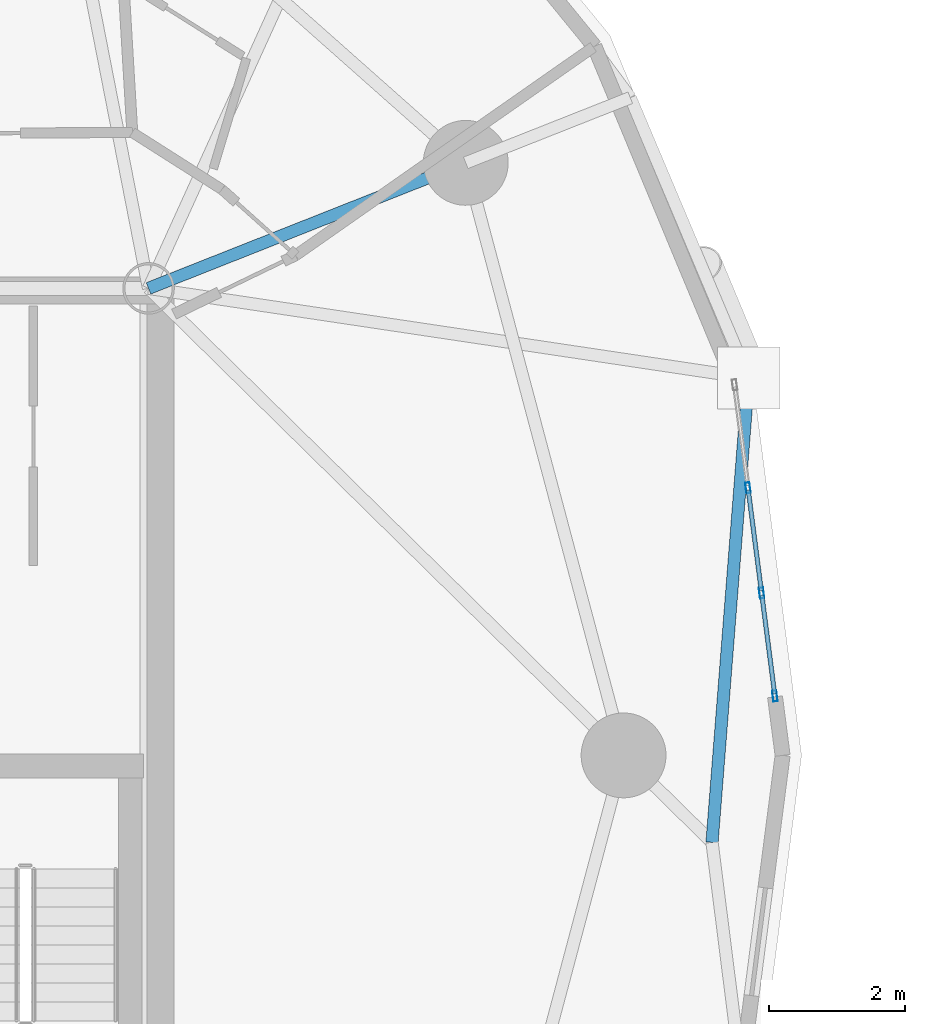
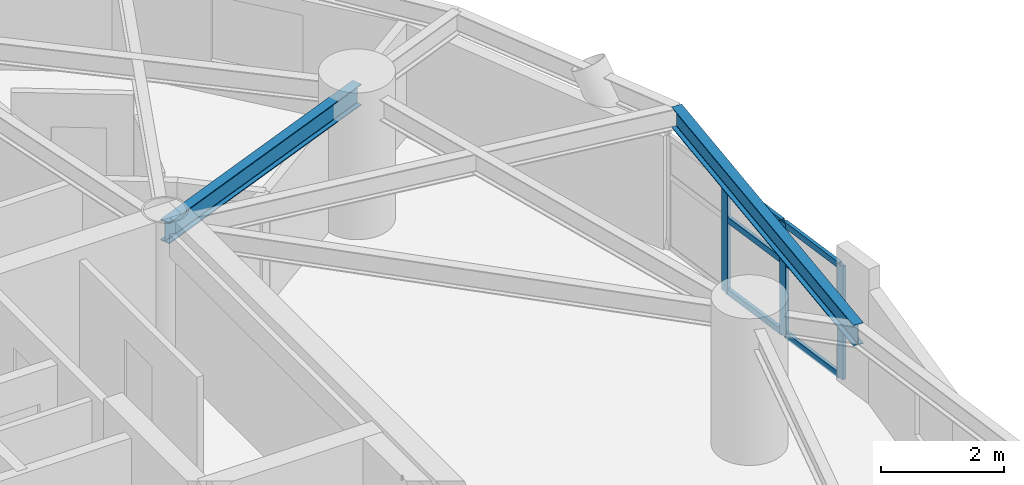
# One storey, part 3 of 19: 9 members, 2 beams, 1 element without a shape of its own.
"""IFC4 building model written with IfcOpenShell, lengths in metres."""

from ifc_helpers import new_model, si_unit, direction, frame, origin, origin_2d, place, context, subcontext, project, spatial, hollow_rectangle, i_section, extrude, material, layer, layer_set, material_profile, profile_set, type_object, element, aggregate, save


model = new_model("IFC4")

# Units and contexts
model_context = context("Model", 3, precision=1e-05, world=origin(), true_north=direction((0.0, 1.0)))
body_context = subcontext(model_context, "Body", "Model", "MODEL_VIEW")
ifc_project = project(units=[si_unit("LENGTHUNIT", "METRE"), si_unit("AREAUNIT", "SQUARE_METRE"), si_unit("VOLUMEUNIT", "CUBIC_METRE"), si_unit("PLANEANGLEUNIT", "RADIAN"), si_unit("MASSUNIT", "GRAM", prefix="KILO")], contexts=[model_context])

# Site, building, storey
site_placement = place(None, origin())
site = spatial("IfcSite", under=ifc_project, at=site_placement, CompositionType="ELEMENT")
building_placement = place(site_placement, origin())
building = spatial("IfcBuilding", under=site, at=building_placement, Name="Cununo Teusaquillo Station Towers", CompositionType="ELEMENT")
storey_placement = place(building_placement, frame((0.0, 0.0, 151.60009765625)))
storey = spatial("IfcBuildingStorey", under=building, at=storey_placement, Name="L47", CompositionType="ELEMENT", Elevation=151.60009765625)

# Beams
ifc_material_1 = material(Name="Steel ASTM A572 Grade 50", Category="steel")
ifc_material_profile_1 = material_profile(ifc_material_1, i_section(OverallWidth=0.180908203125, OverallDepth=0.4169921875, WebThickness=0.010986328125, FlangeThickness=0.018310546875, FilletRadius=0.012939453125, at=origin_2d()), Name="W16X57")
ifc_profile_set_1 = profile_set([ifc_material_profile_1], Name="Steel ASTM A572 Grade 50")
beam_type_1 = type_object("IfcBeamType", Name="BM-RAD-G2", PredefinedType="BEAM", material=ifc_profile_set_1)
beam_1_placement = place(storey_placement, frame((21.675048828125, 31.3798828125, 2.4814453125), z_axis=(0.929864104313, 0.367903176814, 0.0), x_axis=(-0.367903176814, 0.929864104313, 0.0)))
element("IfcBeam", 1, at=beam_1_placement, inside=storey, type_object=beam_type_1, Name="L47 Tower A Radial Girder 02A", PredefinedType="BEAM", context=body_context, shape_type="SweptSolid", body=[
    extrude(i_section(OverallWidth=0.180908203125, OverallDepth=0.4169921875, WebThickness=0.010986328125, FlangeThickness=0.018310546875, FilletRadius=0.012939453125, at=origin_2d()), origin(), (0.0, 0.0, 1.0), 5.02490234375),
])
ifc_material_2 = material(Name="Steel ASTM A572 Grade 50", Category="steel")
ifc_material_profile_2 = material_profile(ifc_material_2, i_section(OverallWidth=0.180908203125, OverallDepth=0.4169921875, WebThickness=0.010986328125, FlangeThickness=0.018310546875, FilletRadius=0.012939453125, at=origin_2d()), Name="W16X57")
ifc_profile_set_2 = profile_set([ifc_material_profile_2], Name="Steel ASTM A572 Grade 50")
beam_type_2 = type_object("IfcBeamType", Name="BM-RING-Z3", PredefinedType="SPANDREL", material=ifc_profile_set_2)
beam_2_placement = place(storey_placement, frame((29.97509765625, 23.21875, 2.4814453125), z_axis=(0.078527541639, 0.996911944559, 0.0), x_axis=(-0.996911944559, 0.078527541639, 0.0)))
element("IfcBeam", 2, at=beam_2_placement, inside=storey, type_object=beam_type_2, Name="L47 Tower A Spandrel Ring Beam 01", PredefinedType="SPANDREL", context=body_context, shape_type="SweptSolid", body=[
    extrude(i_section(OverallWidth=0.180908203125, OverallDepth=0.4169921875, WebThickness=0.010986328125, FlangeThickness=0.018310546875, FilletRadius=0.012939453125, at=origin_2d()), origin(), (0.0, 0.0, 1.0), 6.861572265625),
])

# Curtain wall, members
ifc_material_3 = material(Name="Operable acoustic tinted low-E double glazing", Category="glass")
ifc_layer = layer(ifc_material_3, 0.179931640625)
ifc_layer_set = layer_set([ifc_layer], Name="Operable acoustic tinted low-E double glazing")
curtain_wall_type = type_object("IfcCurtainWallType", Name="CW-SYS-06", PredefinedType="USERDEFINED", material=ifc_layer_set)
curtain_wall_placement = place(storey_placement, origin())
curtain_wall = element("IfcCurtainWall", 3, at=curtain_wall_placement, inside=storey, type_object=curtain_wall_type, Name="L47 Tower A Facade Curtain Wall C00", ObjectType="OPERABLE GLAZING", PredefinedType="USERDEFINED")
ifc_material_4 = material(Name="Anodised dark bronze aluminium EN AW-6063-T6", Category="aluminium")
ifc_material_profile_3 = material_profile(ifc_material_4, hollow_rectangle(XDim=0.06494140625, YDim=0.159912109375, WallThickness=0.00390625, at=origin_2d()), Name="CW-MULL-65x160")
ifc_profile_set_3 = profile_set([ifc_material_profile_3], Name="Anodised dark bronze aluminium EN AW-6063-T6")
member_type_1 = type_object("IfcMemberType", Name="CWM-160", PredefinedType="MULLION", material=ifc_profile_set_3)
member_1_placement = place(storey_placement, frame((30.505126953125, 28.44189453125, 0.0), z_axis=(0.0, 0.0, 1.0), x_axis=(0.991736321922, 0.128292898403, 0.0)))
member_1 = element("IfcMember", 4, at=member_1_placement, type_object=member_type_1, Name="CW-06 mullion 2", PredefinedType="MULLION", context=body_context, shape_type="SweptSolid", body=[
    extrude(hollow_rectangle(XDim=0.06494140625, YDim=0.159912109375, WallThickness=0.00390625, at=origin_2d()), origin(), (0.0, 0.0, 1.0), 2.244873046875),
])
member_2_placement = place(storey_placement, frame((30.70556640625, 26.892333984375, 0.0), z_axis=(0.0, 0.0, 1.0), x_axis=(0.991736321922, 0.128292898403, 0.0)))
member_2 = element("IfcMember", 5, at=member_2_placement, type_object=member_type_1, Name="CW-06 mullion 3", PredefinedType="MULLION", context=body_context, shape_type="SweptSolid", body=[
    extrude(hollow_rectangle(XDim=0.06494140625, YDim=0.159912109375, WallThickness=0.00390625, at=origin_2d()), origin(), (0.0, 0.0, 1.0), 2.244873046875),
])
member_3_placement = place(storey_placement, frame((30.901611328125, 25.375244140625, 0.0), z_axis=(0.0, 0.0, 1.0), x_axis=(0.991736321922, 0.128292898403, 0.0)))
member_3 = element("IfcMember", 6, at=member_3_placement, type_object=member_type_1, Name="CW-06 mullion 4", PredefinedType="MULLION", context=body_context, shape_type="SweptSolid", body=[
    extrude(hollow_rectangle(XDim=0.06494140625, YDim=0.159912109375, WallThickness=0.00390625, at=origin_2d()), origin(), (0.0, 0.0, 1.0), 2.244873046875),
])
ifc_material_5 = material(Name="Anodised dark bronze aluminium EN AW-6063-T6", Category="aluminium")
ifc_material_profile_4 = material_profile(ifc_material_5, hollow_rectangle(XDim=0.06494140625, YDim=0.1201171875, WallThickness=0.00390625, at=origin_2d()), Name="CW-TRAN-65x120")
ifc_profile_set_4 = profile_set([ifc_material_profile_4], Name="Anodised dark bronze aluminium EN AW-6063-T6")
member_type_2 = type_object("IfcMemberType", Name="CWT-120", PredefinedType="USERDEFINED", material=ifc_profile_set_4)
member_4_placement = place(storey_placement, frame((30.50927734375, 28.40966796875, 0.032470703125), z_axis=(0.128307576997, -0.991734422961, 0.0), x_axis=(0.991734422961, 0.128307576997, 0.0)))
member_4 = element("IfcMember", 7, at=member_4_placement, type_object=member_type_2, Name="CW-06 transom 2.1", ObjectType="TRANSOM", PredefinedType="USERDEFINED", context=body_context, shape_type="SweptSolid", body=[
    extrude(hollow_rectangle(XDim=0.06494140625, YDim=0.1201171875, WallThickness=0.00390625, at=origin_2d()), origin(), (0.0, 0.0, 1.0), 1.49755859375),
])
member_5_placement = place(storey_placement, frame((30.50927734375, 28.40966796875, 1.458984375), z_axis=(0.128307576997, -0.991734422961, 0.0), x_axis=(0.991734422961, 0.128307576997, 0.0)))
member_5 = element("IfcMember", 8, at=member_5_placement, type_object=member_type_2, Name="CW-06 transom 2.2", ObjectType="TRANSOM", PredefinedType="USERDEFINED", context=body_context, shape_type="SweptSolid", body=[
    extrude(hollow_rectangle(XDim=0.06494140625, YDim=0.1201171875, WallThickness=0.00390625, at=origin_2d()), origin(), (0.0, 0.0, 1.0), 1.49755859375),
])
member_6_placement = place(storey_placement, frame((30.50927734375, 28.40966796875, 2.21240234375), z_axis=(0.128307576997, -0.991734422961, 0.0), x_axis=(0.991734422961, 0.128307576997, 0.0)))
member_6 = element("IfcMember", 9, at=member_6_placement, type_object=member_type_2, Name="CW-06 transom 2.3", ObjectType="TRANSOM", PredefinedType="USERDEFINED", context=body_context, shape_type="SweptSolid", body=[
    extrude(hollow_rectangle(XDim=0.06494140625, YDim=0.1201171875, WallThickness=0.00390625, at=origin_2d()), origin(), (0.0, 0.0, 1.0), 1.49755859375),
])
member_7_placement = place(storey_placement, frame((30.709716796875, 26.860107421875, 0.032470703125), z_axis=(0.128177596053, -0.991751230839, 0.0), x_axis=(0.991751230839, 0.128177596053, 0.0)))
member_7 = element("IfcMember", 10, at=member_7_placement, type_object=member_type_2, Name="CW-06 transom 3.1", ObjectType="TRANSOM", PredefinedType="USERDEFINED", context=body_context, shape_type="SweptSolid", body=[
    extrude(hollow_rectangle(XDim=0.06494140625, YDim=0.1201171875, WallThickness=0.00390625, at=origin_2d()), origin(), (0.0, 0.0, 1.0), 1.464599609375),
])
member_8_placement = place(storey_placement, frame((30.709716796875, 26.860107421875, 1.458984375), z_axis=(0.128177596053, -0.991751230839, 0.0), x_axis=(0.991751230839, 0.128177596053, 0.0)))
member_8 = element("IfcMember", 11, at=member_8_placement, type_object=member_type_2, Name="CW-06 transom 3.2", ObjectType="TRANSOM", PredefinedType="USERDEFINED", context=body_context, shape_type="SweptSolid", body=[
    extrude(hollow_rectangle(XDim=0.06494140625, YDim=0.1201171875, WallThickness=0.00390625, at=origin_2d()), origin(), (0.0, 0.0, 1.0), 1.464599609375),
])
member_9_placement = place(storey_placement, frame((30.709716796875, 26.860107421875, 2.21240234375), z_axis=(0.128177596053, -0.991751230839, 0.0), x_axis=(0.991751230839, 0.128177596053, 0.0)))
member_9 = element("IfcMember", 12, at=member_9_placement, type_object=member_type_2, Name="CW-06 transom 3.3", ObjectType="TRANSOM", PredefinedType="USERDEFINED", context=body_context, shape_type="SweptSolid", body=[
    extrude(hollow_rectangle(XDim=0.06494140625, YDim=0.1201171875, WallThickness=0.00390625, at=origin_2d()), origin(), (0.0, 0.0, 1.0), 1.464599609375),
])
aggregate(curtain_wall, [member_1, member_2, member_3, member_4, member_5, member_6, member_7, member_8, member_9])

save(model, "model.ifc")
